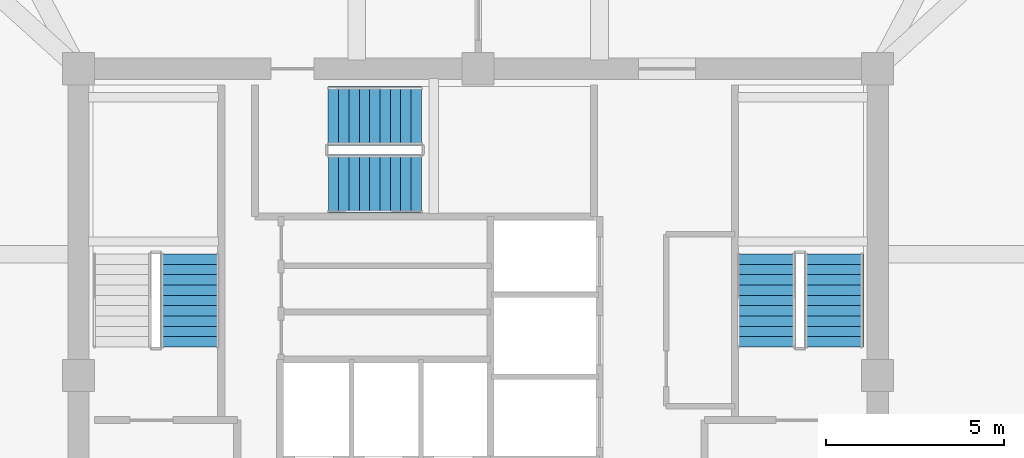
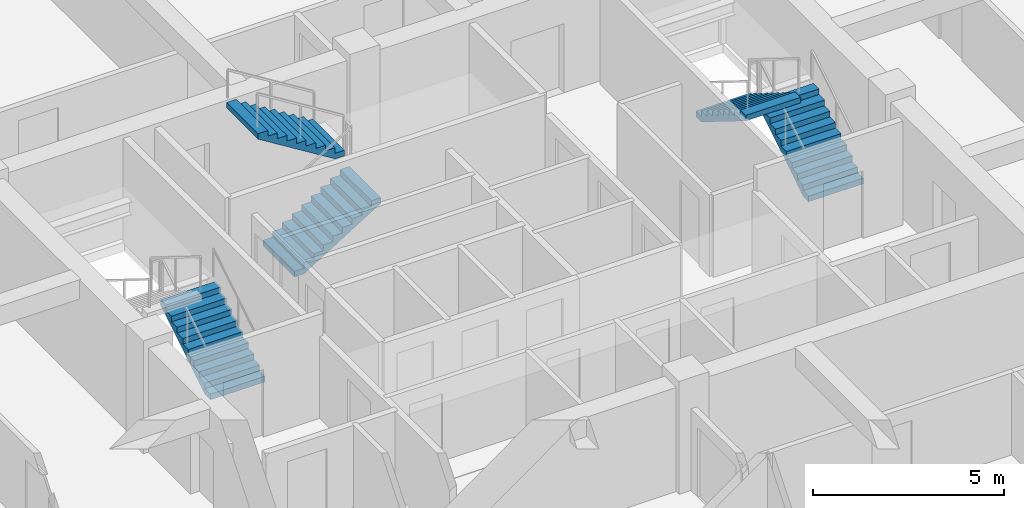
# One storey, part 12 of 14: 5 stair flights, 3 elements without a shape of their own.
"""IFC4 building model written with IfcOpenShell, lengths in metres."""

from ifc_helpers import new_model, si_unit, derived_unit, direction, frame, origin, place, context, subcontext, project, spatial, polyline, outline, extrude, material, type_object, element, aggregate, save


model = new_model("IFC4")

# Units and contexts
model_context = context("Model", 3, precision=1e-05, world=origin(), true_north=direction((0.0, 1.0)))
body_context = subcontext(model_context, "Body", "Model", "MODEL_VIEW")
ifc_project = project(units=[si_unit("LENGTHUNIT", "METRE"), si_unit("AREAUNIT", "SQUARE_METRE"), si_unit("VOLUMEUNIT", "CUBIC_METRE"), si_unit("PLANEANGLEUNIT", "RADIAN"), si_unit("MASSUNIT", "GRAM", prefix="KILO"), derived_unit("THERMALTRANSMITTANCEUNIT", [(si_unit("POWERUNIT", "WATT"), 1), (si_unit("LENGTHUNIT", "METRE"), -2), (si_unit("THERMODYNAMICTEMPERATUREUNIT", "KELVIN"), -1)])], contexts=[model_context])

# Site, building, storey
site_placement = place(None, origin())
site = spatial("IfcSite", under=ifc_project, at=site_placement, CompositionType="ELEMENT")
building_placement = place(site_placement, origin())
building = spatial("IfcBuilding", under=site, at=building_placement, Name="Koralith Skygarden Medical Center", CompositionType="ELEMENT")
storey_placement = place(building_placement, frame((0.0, 0.0, 242.820068359375)))
storey = spatial("IfcBuildingStorey", under=building, at=storey_placement, Name="L62", CompositionType="ELEMENT", Elevation=242.820068359375)

# Stair, stair flight
ifc_material = material(Name="Concrete C45/55", Category="concrete")
stair_type = type_object("IfcStairType", Name="Core Exit Dogleg Concrete Stair", PredefinedType="HALF_TURN_STAIR", material=ifc_material)
stair_1_placement = place(storey_placement, origin())
stair_1 = element("IfcStair", 1, at=stair_1_placement, inside=storey, type_object=stair_type, Name="L62 Smokeproof Exit Stair ST1", PredefinedType="HALF_TURN_STAIR")
stair_flight_type = type_object("IfcStairFlightType", Name="Core Exit Concrete Stair Flight 1650", PredefinedType="STRAIGHT", material=ifc_material)
stair_flight_1_placement = place(storey_placement, frame((28.925048828125, 26.699951171875, 0.0), z_axis=(0.0, 0.0, 1.0), x_axis=(0.0, 1.0, 0.0)))
stair_flight_1 = element("IfcStairFlight", 2, at=stair_flight_1_placement, type_object=stair_flight_type, Name="ST1 flight 1", NumberOfRisers=10, NumberOfTreads=9, PredefinedType="STRAIGHT", RiserHeight=0.18, TreadLength=0.29, context=body_context, shape_type="SweptSolid", body=[
    extrude(outline(polyline([(0.0, 0.0), (0.0, 0.179931640625), (0.2900390625, 0.179931640625), (0.2900390625, 0.360107421875), (0.580078125, 0.360107421875), (0.580078125, 0.5400390625), (0.8701171875, 0.5400390625), (0.8701171875, 0.719970703125), (1.159912109375, 0.719970703125), (1.159912109375, 0.89990234375), (1.449951171875, 0.89990234375), (1.449951171875, 1.080078125), (1.739990234375, 1.080078125), (1.739990234375, 1.260009765625), (2.030029296875, 1.260009765625), (2.030029296875, 1.43994140625), (2.320068359375, 1.43994140625), (2.320068359375, 1.6201171875), (2.610107421875, 1.6201171875), (2.610107421875, 1.800048828125), (2.610107421875, 1.443603515625), (0.2841796875, 0.0), (0.0, 0.0)])), frame((0.0, 0.824951171875, 0.0), z_axis=(0.0, -1.0, 0.0), x_axis=(1.0, 0.0, 0.0)), (0.0, 0.0, 1.0), 1.64990234375),
])
aggregate(stair_1, [stair_flight_1])

# Stair, stair flights
stair_2_placement = place(storey_placement, origin())
stair_2 = element("IfcStair", 3, at=stair_2_placement, inside=storey, type_object=stair_type, Name="L62 Smokeproof Exit Stair ST2", PredefinedType="HALF_TURN_STAIR")
stair_flight_2_placement = place(storey_placement, frame((46.97509765625, 26.699951171875, 0.0), z_axis=(0.0, 0.0, 1.0), x_axis=(0.0, 1.0, 0.0)))
stair_flight_2 = element("IfcStairFlight", 4, at=stair_flight_2_placement, type_object=stair_flight_type, Name="ST2 flight 1", NumberOfRisers=10, NumberOfTreads=9, PredefinedType="STRAIGHT", RiserHeight=0.18, TreadLength=0.29, context=body_context, shape_type="SweptSolid", body=[
    extrude(outline(polyline([(0.0, 0.0), (0.0, 0.179931640625), (0.2900390625, 0.179931640625), (0.2900390625, 0.360107421875), (0.580078125, 0.360107421875), (0.580078125, 0.5400390625), (0.8701171875, 0.5400390625), (0.8701171875, 0.719970703125), (1.159912109375, 0.719970703125), (1.159912109375, 0.89990234375), (1.449951171875, 0.89990234375), (1.449951171875, 1.080078125), (1.739990234375, 1.080078125), (1.739990234375, 1.260009765625), (2.030029296875, 1.260009765625), (2.030029296875, 1.43994140625), (2.320068359375, 1.43994140625), (2.320068359375, 1.6201171875), (2.610107421875, 1.6201171875), (2.610107421875, 1.800048828125), (2.610107421875, 1.443603515625), (0.2841796875, 0.0), (0.0, 0.0)])), frame((0.0, 0.824951171875, 0.0), z_axis=(0.0, -1.0, 0.0), x_axis=(1.0, 0.0, 0.0)), (0.0, 0.0, 1.0), 1.64990234375),
])
stair_flight_3_placement = place(storey_placement, frame((45.074951171875, 29.31005859375, 1.800048828125), z_axis=(0.0, 0.0, 1.0), x_axis=(0.0, -1.0, 0.0)))
stair_flight_3 = element("IfcStairFlight", 5, at=stair_flight_3_placement, type_object=stair_flight_type, Name="ST2 flight 2", NumberOfRisers=10, NumberOfTreads=9, PredefinedType="STRAIGHT", RiserHeight=0.18, TreadLength=0.29, context=body_context, shape_type="SweptSolid", body=[
    extrude(outline(polyline([(0.0, 0.0), (0.0, 0.179931640625), (0.2900390625, 0.179931640625), (0.2900390625, 0.360107421875), (0.580078125, 0.360107421875), (0.580078125, 0.5400390625), (0.8701171875, 0.5400390625), (0.8701171875, 0.719970703125), (1.159912109375, 0.719970703125), (1.159912109375, 0.89990234375), (1.449951171875, 0.89990234375), (1.449951171875, 1.080078125), (1.739990234375, 1.080078125), (1.739990234375, 1.260009765625), (2.030029296875, 1.260009765625), (2.030029296875, 1.43994140625), (2.320068359375, 1.43994140625), (2.320068359375, 1.6201171875), (2.610107421875, 1.6201171875), (2.610107421875, 1.800048828125), (2.610107421875, 1.443603515625), (0.2841796875, 0.0), (0.0, 0.0)])), frame((0.0, 0.824951171875, 0.0), z_axis=(0.0, -1.0, 0.0), x_axis=(1.0, 0.0, 0.0)), (0.0, 0.0, 1.0), 1.64990234375),
])
aggregate(stair_2, [stair_flight_2, stair_flight_3])

stair_3_placement = place(storey_placement, origin())
stair_3 = element("IfcStair", 6, at=stair_3_placement, inside=storey, type_object=stair_type, Name="L62 Smokeproof Exit Stair ST3", PredefinedType="HALF_TURN_STAIR")
stair_flight_4_placement = place(storey_placement, frame((32.800048828125, 31.27490234375, 0.0), z_axis=(0.0, 0.0, 1.0), x_axis=(1.0, 0.0, 0.0)))
stair_flight_4 = element("IfcStairFlight", 7, at=stair_flight_4_placement, type_object=stair_flight_type, Name="ST3 flight 1", NumberOfRisers=10, NumberOfTreads=9, PredefinedType="STRAIGHT", RiserHeight=0.18, TreadLength=0.29, context=body_context, shape_type="SweptSolid", body=[
    extrude(outline(polyline([(0.0, 0.0), (0.0, 0.179931640625), (0.2900390625, 0.179931640625), (0.2900390625, 0.360107421875), (0.580078125, 0.360107421875), (0.580078125, 0.5400390625), (0.8701171875, 0.5400390625), (0.8701171875, 0.719970703125), (1.159912109375, 0.719970703125), (1.159912109375, 0.89990234375), (1.449951171875, 0.89990234375), (1.449951171875, 1.080078125), (1.739990234375, 1.080078125), (1.739990234375, 1.260009765625), (2.030029296875, 1.260009765625), (2.030029296875, 1.43994140625), (2.320068359375, 1.43994140625), (2.320068359375, 1.6201171875), (2.610107421875, 1.6201171875), (2.610107421875, 1.800048828125), (2.610107421875, 1.443603515625), (0.2841796875, 0.0), (0.0, 0.0)])), frame((0.0, 0.824951171875, 0.0), z_axis=(0.0, -1.0, 0.0), x_axis=(1.0, 0.0, 0.0)), (0.0, 0.0, 1.0), 1.64990234375),
])
stair_flight_5_placement = place(storey_placement, frame((35.409912109375, 33.175048828125, 1.800048828125), z_axis=(0.0, 0.0, 1.0), x_axis=(-1.0, 0.0, 0.0)))
stair_flight_5 = element("IfcStairFlight", 8, at=stair_flight_5_placement, type_object=stair_flight_type, Name="ST3 flight 2", NumberOfRisers=10, NumberOfTreads=9, PredefinedType="STRAIGHT", RiserHeight=0.18, TreadLength=0.29, context=body_context, shape_type="SweptSolid", body=[
    extrude(outline(polyline([(0.0, 0.0), (0.0, 0.179931640625), (0.2900390625, 0.179931640625), (0.2900390625, 0.360107421875), (0.580078125, 0.360107421875), (0.580078125, 0.5400390625), (0.8701171875, 0.5400390625), (0.8701171875, 0.719970703125), (1.159912109375, 0.719970703125), (1.159912109375, 0.89990234375), (1.449951171875, 0.89990234375), (1.449951171875, 1.080078125), (1.739990234375, 1.080078125), (1.739990234375, 1.260009765625), (2.030029296875, 1.260009765625), (2.030029296875, 1.43994140625), (2.320068359375, 1.43994140625), (2.320068359375, 1.6201171875), (2.610107421875, 1.6201171875), (2.610107421875, 1.800048828125), (2.610107421875, 1.443603515625), (0.2841796875, 0.0), (0.0, 0.0)])), frame((0.0, 0.824951171875, 0.0), z_axis=(0.0, -1.0, 0.0), x_axis=(1.0, 0.0, 0.0)), (0.0, 0.0, 1.0), 1.64990234375),
])
aggregate(stair_3, [stair_flight_4, stair_flight_5])

save(model, "model.ifc")
